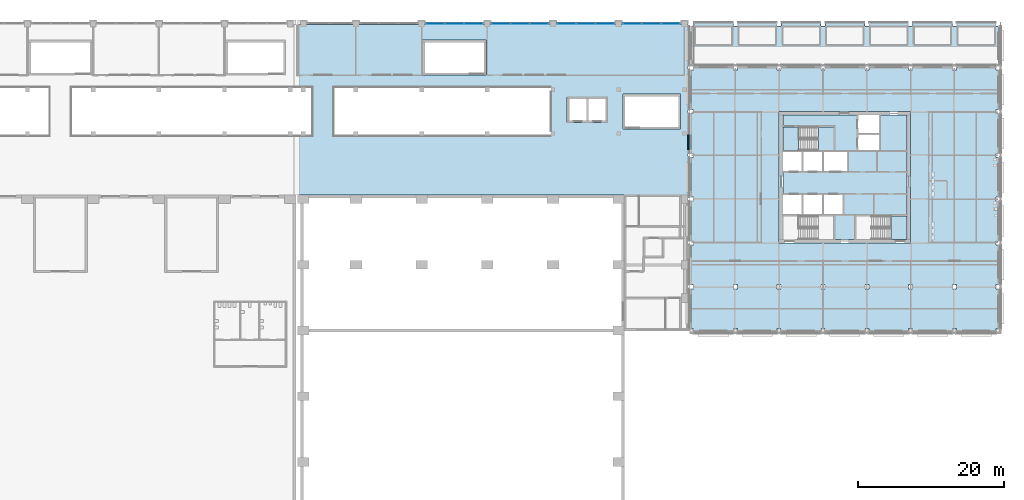
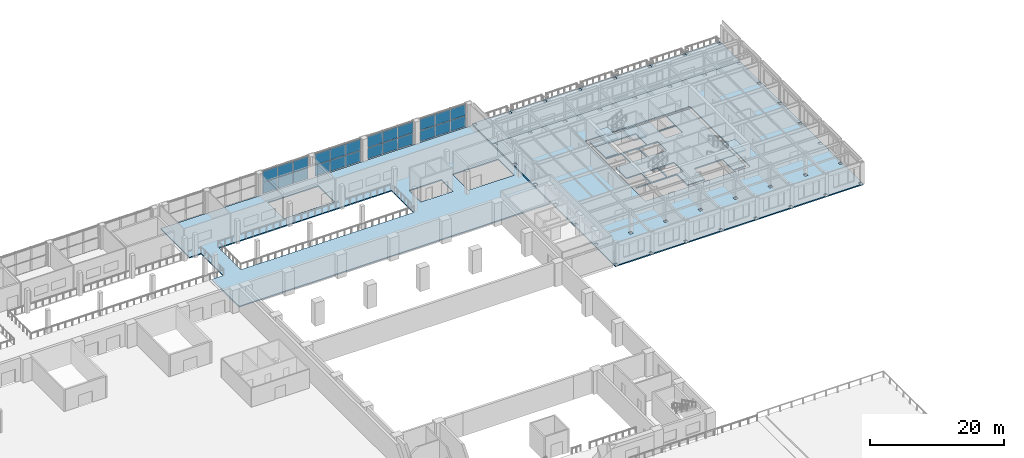
# One storey, part 13 of 39: 25 plates, 9 slabs, 6 elements without a shape of their own.
"""IFC4 building model written with IfcOpenShell, lengths in metres."""

from ifc_helpers import new_model, si_unit, direction, frame, origin, origin_2d, place, context, subcontext, project, spatial, polyline, rectangle, outline, extrude, material, layer, layer_set, type_object, element, aggregate, save


model = new_model("IFC4")

# Units and contexts
model_context = context("Model", 3, precision=1e-05, world=origin(), true_north=direction((0.0, 1.0)))
body_context = subcontext(model_context, "Body", "Model", "MODEL_VIEW")
ifc_project = project(units=[si_unit("LENGTHUNIT", "METRE"), si_unit("AREAUNIT", "SQUARE_METRE"), si_unit("VOLUMEUNIT", "CUBIC_METRE"), si_unit("PLANEANGLEUNIT", "RADIAN"), si_unit("MASSUNIT", "GRAM", prefix="KILO")], contexts=[model_context])

# Site, building, storey
site_placement = place(None, origin())
site = spatial("IfcSite", under=ifc_project, at=site_placement, CompositionType="ELEMENT")
building_placement = place(site_placement, origin())
building = spatial("IfcBuilding", under=site, at=building_placement, Name="Aravalli Gate Trade Fair Centre", CompositionType="ELEMENT")
storey_placement = place(building_placement, frame((0.0, 0.0, 15.0)))
storey = spatial("IfcBuildingStorey", under=building, at=storey_placement, Name="L03", CompositionType="ELEMENT", Elevation=15.0)

# Slab
ifc_material_1 = material(Name="Concrete M40", Category="concrete")
ifc_layer_1 = layer(ifc_material_1, 0.199951171875)
ifc_layer_set_1 = layer_set([ifc_layer_1], Name="Concrete M40")
slab_type_1 = type_object("IfcSlabType", Name="Concourse gallery slab 200", PredefinedType="FLOOR", material=ifc_layer_set_1)
slab_1_placement = place(storey_placement, frame((0.0, 0.0, -0.199951171875)))
element("IfcSlab", 1, at=slab_1_placement, inside=storey, type_object=slab_type_1, Name="Concourse gallery slab L03 3", PredefinedType="FLOOR", context=body_context, shape_type="SweptSolid", body=[
    extrude(outline(polyline([(159.5, 132.919921875), (106.0, 132.919921875), (106.0, 124.300048828125), (108.0, 124.300048828125), (108.0, 117.699951171875), (106.0, 117.699951171875), (106.0, 109.60009765625), (159.5, 109.60009765625), (159.5, 132.919921875)]), holes=[polyline([(140.699951171875, 117.699951171875), (111.0, 117.699951171875), (111.0, 124.300048828125), (140.699951171875, 124.300048828125), (140.699951171875, 117.699951171875)]), polyline([(150.60009765625, 118.60009765625), (150.60009765625, 123.39990234375), (158.5, 123.39990234375), (158.5, 118.60009765625), (150.60009765625, 118.60009765625)]), polyline([(142.949951171875, 119.5), (142.949951171875, 123.0), (148.5, 123.0), (148.5, 119.5), (142.949951171875, 119.5)]), polyline([(123.14990234375, 130.800048828125), (131.85009765625, 130.800048828125), (131.85009765625, 126.0), (123.14990234375, 126.0), (123.14990234375, 130.800048828125)])]), origin(), (0.0, 0.0, 1.0), 0.199951171875),
])

# Curtain wall, plates
ifc_material_2 = material(Name="Aluminium and glass", Category="aluminium")
curtain_wall_type = type_object("IfcCurtainWallType", Name="Curtain wall 3000 module, tall", PredefinedType="NOTDEFINED", material=ifc_material_2)
curtain_wall_1_placement = place(storey_placement, origin())
curtain_wall_1 = element("IfcCurtainWall", 2, at=curtain_wall_1_placement, inside=storey, type_object=curtain_wall_type, Name="Curtain wall north bay 15 L03", PredefinedType="NOTDEFINED")
ifc_material_3 = material(Name="Glass, double glazed", Category="glass")
ifc_layer_2 = layer(ifc_material_3, 0.028076171875)
ifc_layer_set_2 = layer_set([ifc_layer_2], Name="Glass, double glazed")
plate_type_1 = type_object("IfcPlateType", Name="Curtain wall panel, double glazed 28", PredefinedType="CURTAIN_PANEL", material=ifc_layer_set_2)
plate_1_placement = place(storey_placement, frame((124.881591796875, 133.044921875, 0.06005859375), z_axis=(0.0, 0.0, 1.0), x_axis=(1.0, 0.0, 0.0)))
plate_1 = element("IfcPlate", 3, at=plate_1_placement, type_object=plate_type_1, Name="CW3 panel 1.1", PredefinedType="CURTAIN_PANEL", context=body_context, shape_type="SweptSolid", body=[
    extrude(rectangle(XDim=2.543212890625, YDim=0.028076171875, at=origin_2d()), origin(), (0.0, 0.0, 1.0), 2.010009765625),
])
plate_2_placement = place(storey_placement, frame((124.881591796875, 133.044921875, 2.1298828125), z_axis=(0.0, 0.0, 1.0), x_axis=(1.0, 0.0, 0.0)))
plate_2 = element("IfcPlate", 4, at=plate_2_placement, type_object=plate_type_1, Name="CW3 panel 1.2", PredefinedType="CURTAIN_PANEL", context=body_context, shape_type="SweptSolid", body=[
    extrude(rectangle(XDim=2.543212890625, YDim=0.028076171875, at=origin_2d()), origin(), (0.0, 0.0, 1.0), 2.010009765625),
])
plate_3_placement = place(storey_placement, frame((127.5, 133.044921875, 0.06005859375), z_axis=(0.0, 0.0, 1.0), x_axis=(1.0, 0.0, 0.0)))
plate_3 = element("IfcPlate", 5, at=plate_3_placement, type_object=plate_type_1, Name="CW3 panel 2.1", PredefinedType="CURTAIN_PANEL", context=body_context, shape_type="SweptSolid", body=[
    extrude(rectangle(XDim=2.5732421875, YDim=0.028076171875, at=origin_2d()), origin(), (0.0, 0.0, 1.0), 2.010009765625),
])
plate_4_placement = place(storey_placement, frame((127.5, 133.044921875, 2.1298828125), z_axis=(0.0, 0.0, 1.0), x_axis=(1.0, 0.0, 0.0)))
plate_4 = element("IfcPlate", 6, at=plate_4_placement, type_object=plate_type_1, Name="CW3 panel 2.2", PredefinedType="CURTAIN_PANEL", context=body_context, shape_type="SweptSolid", body=[
    extrude(rectangle(XDim=2.5732421875, YDim=0.028076171875, at=origin_2d()), origin(), (0.0, 0.0, 1.0), 2.010009765625),
])
plate_5_placement = place(storey_placement, frame((130.118408203125, 133.044921875, 0.06005859375), z_axis=(0.0, 0.0, 1.0), x_axis=(1.0, 0.0, 0.0)))
plate_5 = element("IfcPlate", 7, at=plate_5_placement, type_object=plate_type_1, Name="CW3 panel 3.1", PredefinedType="CURTAIN_PANEL", context=body_context, shape_type="SweptSolid", body=[
    extrude(rectangle(XDim=2.543212890625, YDim=0.028076171875, at=origin_2d()), origin(), (0.0, 0.0, 1.0), 2.010009765625),
])
plate_6_placement = place(storey_placement, frame((130.118408203125, 133.044921875, 2.1298828125), z_axis=(0.0, 0.0, 1.0), x_axis=(1.0, 0.0, 0.0)))
plate_6 = element("IfcPlate", 8, at=plate_6_placement, type_object=plate_type_1, Name="CW3 panel 3.2", PredefinedType="CURTAIN_PANEL", context=body_context, shape_type="SweptSolid", body=[
    extrude(rectangle(XDim=2.543212890625, YDim=0.028076171875, at=origin_2d()), origin(), (0.0, 0.0, 1.0), 2.010009765625),
])
aggregate(curtain_wall_1, [plate_1, plate_2, plate_3, plate_4, plate_5, plate_6])

curtain_wall_2_placement = place(storey_placement, origin())
curtain_wall_2 = element("IfcCurtainWall", 9, at=curtain_wall_2_placement, inside=storey, type_object=curtain_wall_type, Name="Curtain wall north bay 16 L03", PredefinedType="NOTDEFINED")
plate_7_placement = place(storey_placement, frame((133.881591796875, 133.044921875, 0.06005859375), z_axis=(0.0, 0.0, 1.0), x_axis=(1.0, 0.0, 0.0)))
plate_7 = element("IfcPlate", 10, at=plate_7_placement, type_object=plate_type_1, Name="CW3 panel 1.1", PredefinedType="CURTAIN_PANEL", context=body_context, shape_type="SweptSolid", body=[
    extrude(rectangle(XDim=2.543212890625, YDim=0.028076171875, at=origin_2d()), origin(), (0.0, 0.0, 1.0), 2.010009765625),
])
plate_8_placement = place(storey_placement, frame((133.881591796875, 133.044921875, 2.1298828125), z_axis=(0.0, 0.0, 1.0), x_axis=(1.0, 0.0, 0.0)))
plate_8 = element("IfcPlate", 11, at=plate_8_placement, type_object=plate_type_1, Name="CW3 panel 1.2", PredefinedType="CURTAIN_PANEL", context=body_context, shape_type="SweptSolid", body=[
    extrude(rectangle(XDim=2.543212890625, YDim=0.028076171875, at=origin_2d()), origin(), (0.0, 0.0, 1.0), 2.010009765625),
])
plate_9_placement = place(storey_placement, frame((136.5, 133.044921875, 0.06005859375), z_axis=(0.0, 0.0, 1.0), x_axis=(1.0, 0.0, 0.0)))
plate_9 = element("IfcPlate", 12, at=plate_9_placement, type_object=plate_type_1, Name="CW3 panel 2.1", PredefinedType="CURTAIN_PANEL", context=body_context, shape_type="SweptSolid", body=[
    extrude(rectangle(XDim=2.5732421875, YDim=0.028076171875, at=origin_2d()), origin(), (0.0, 0.0, 1.0), 2.010009765625),
])
plate_10_placement = place(storey_placement, frame((136.5, 133.044921875, 2.1298828125), z_axis=(0.0, 0.0, 1.0), x_axis=(1.0, 0.0, 0.0)))
plate_10 = element("IfcPlate", 13, at=plate_10_placement, type_object=plate_type_1, Name="CW3 panel 2.2", PredefinedType="CURTAIN_PANEL", context=body_context, shape_type="SweptSolid", body=[
    extrude(rectangle(XDim=2.5732421875, YDim=0.028076171875, at=origin_2d()), origin(), (0.0, 0.0, 1.0), 2.010009765625),
])
plate_11_placement = place(storey_placement, frame((139.118408203125, 133.044921875, 0.06005859375), z_axis=(0.0, 0.0, 1.0), x_axis=(1.0, 0.0, 0.0)))
plate_11 = element("IfcPlate", 14, at=plate_11_placement, type_object=plate_type_1, Name="CW3 panel 3.1", PredefinedType="CURTAIN_PANEL", context=body_context, shape_type="SweptSolid", body=[
    extrude(rectangle(XDim=2.543212890625, YDim=0.028076171875, at=origin_2d()), origin(), (0.0, 0.0, 1.0), 2.010009765625),
])
plate_12_placement = place(storey_placement, frame((139.118408203125, 133.044921875, 2.1298828125), z_axis=(0.0, 0.0, 1.0), x_axis=(1.0, 0.0, 0.0)))
plate_12 = element("IfcPlate", 15, at=plate_12_placement, type_object=plate_type_1, Name="CW3 panel 3.2", PredefinedType="CURTAIN_PANEL", context=body_context, shape_type="SweptSolid", body=[
    extrude(rectangle(XDim=2.543212890625, YDim=0.028076171875, at=origin_2d()), origin(), (0.0, 0.0, 1.0), 2.010009765625),
])
aggregate(curtain_wall_2, [plate_7, plate_8, plate_9, plate_10, plate_11, plate_12])

curtain_wall_3_placement = place(storey_placement, origin())
curtain_wall_3 = element("IfcCurtainWall", 16, at=curtain_wall_3_placement, inside=storey, type_object=curtain_wall_type, Name="Curtain wall north bay 17 L03", PredefinedType="NOTDEFINED")
plate_13_placement = place(storey_placement, frame((142.881591796875, 133.044921875, 0.06005859375), z_axis=(0.0, 0.0, 1.0), x_axis=(1.0, 0.0, 0.0)))
plate_13 = element("IfcPlate", 17, at=plate_13_placement, type_object=plate_type_1, Name="CW3 panel 1.1", PredefinedType="CURTAIN_PANEL", context=body_context, shape_type="SweptSolid", body=[
    extrude(rectangle(XDim=2.543212890625, YDim=0.028076171875, at=origin_2d()), origin(), (0.0, 0.0, 1.0), 2.010009765625),
])
plate_14_placement = place(storey_placement, frame((142.881591796875, 133.044921875, 2.1298828125), z_axis=(0.0, 0.0, 1.0), x_axis=(1.0, 0.0, 0.0)))
plate_14 = element("IfcPlate", 18, at=plate_14_placement, type_object=plate_type_1, Name="CW3 panel 1.2", PredefinedType="CURTAIN_PANEL", context=body_context, shape_type="SweptSolid", body=[
    extrude(rectangle(XDim=2.543212890625, YDim=0.028076171875, at=origin_2d()), origin(), (0.0, 0.0, 1.0), 2.010009765625),
])
plate_15_placement = place(storey_placement, frame((145.5, 133.044921875, 0.06005859375), z_axis=(0.0, 0.0, 1.0), x_axis=(1.0, 0.0, 0.0)))
plate_15 = element("IfcPlate", 19, at=plate_15_placement, type_object=plate_type_1, Name="CW3 panel 2.1", PredefinedType="CURTAIN_PANEL", context=body_context, shape_type="SweptSolid", body=[
    extrude(rectangle(XDim=2.5732421875, YDim=0.028076171875, at=origin_2d()), origin(), (0.0, 0.0, 1.0), 2.010009765625),
])
plate_16_placement = place(storey_placement, frame((145.5, 133.044921875, 2.1298828125), z_axis=(0.0, 0.0, 1.0), x_axis=(1.0, 0.0, 0.0)))
plate_16 = element("IfcPlate", 20, at=plate_16_placement, type_object=plate_type_1, Name="CW3 panel 2.2", PredefinedType="CURTAIN_PANEL", context=body_context, shape_type="SweptSolid", body=[
    extrude(rectangle(XDim=2.5732421875, YDim=0.028076171875, at=origin_2d()), origin(), (0.0, 0.0, 1.0), 2.010009765625),
])
plate_17_placement = place(storey_placement, frame((148.118408203125, 133.044921875, 0.06005859375), z_axis=(0.0, 0.0, 1.0), x_axis=(1.0, 0.0, 0.0)))
plate_17 = element("IfcPlate", 21, at=plate_17_placement, type_object=plate_type_1, Name="CW3 panel 3.1", PredefinedType="CURTAIN_PANEL", context=body_context, shape_type="SweptSolid", body=[
    extrude(rectangle(XDim=2.543212890625, YDim=0.028076171875, at=origin_2d()), origin(), (0.0, 0.0, 1.0), 2.010009765625),
])
plate_18_placement = place(storey_placement, frame((148.118408203125, 133.044921875, 2.1298828125), z_axis=(0.0, 0.0, 1.0), x_axis=(1.0, 0.0, 0.0)))
plate_18 = element("IfcPlate", 22, at=plate_18_placement, type_object=plate_type_1, Name="CW3 panel 3.2", PredefinedType="CURTAIN_PANEL", context=body_context, shape_type="SweptSolid", body=[
    extrude(rectangle(XDim=2.543212890625, YDim=0.028076171875, at=origin_2d()), origin(), (0.0, 0.0, 1.0), 2.010009765625),
])
aggregate(curtain_wall_3, [plate_13, plate_14, plate_15, plate_16, plate_17, plate_18])

curtain_wall_4_placement = place(storey_placement, origin())
curtain_wall_4 = element("IfcCurtainWall", 23, at=curtain_wall_4_placement, inside=storey, type_object=curtain_wall_type, Name="Curtain wall north bay 18 L03", PredefinedType="NOTDEFINED")
plate_19_placement = place(storey_placement, frame((151.881591796875, 133.044921875, 0.06005859375), z_axis=(0.0, 0.0, 1.0), x_axis=(1.0, 0.0, 0.0)))
plate_19 = element("IfcPlate", 24, at=plate_19_placement, type_object=plate_type_1, Name="CW3 panel 1.1", PredefinedType="CURTAIN_PANEL", context=body_context, shape_type="SweptSolid", body=[
    extrude(rectangle(XDim=2.543212890625, YDim=0.028076171875, at=origin_2d()), origin(), (0.0, 0.0, 1.0), 2.010009765625),
])
plate_20_placement = place(storey_placement, frame((151.881591796875, 133.044921875, 2.1298828125), z_axis=(0.0, 0.0, 1.0), x_axis=(1.0, 0.0, 0.0)))
plate_20 = element("IfcPlate", 25, at=plate_20_placement, type_object=plate_type_1, Name="CW3 panel 1.2", PredefinedType="CURTAIN_PANEL", context=body_context, shape_type="SweptSolid", body=[
    extrude(rectangle(XDim=2.543212890625, YDim=0.028076171875, at=origin_2d()), origin(), (0.0, 0.0, 1.0), 2.010009765625),
])
plate_21_placement = place(storey_placement, frame((154.5, 133.044921875, 0.06005859375), z_axis=(0.0, 0.0, 1.0), x_axis=(1.0, 0.0, 0.0)))
plate_21 = element("IfcPlate", 26, at=plate_21_placement, type_object=plate_type_1, Name="CW3 panel 2.1", PredefinedType="CURTAIN_PANEL", context=body_context, shape_type="SweptSolid", body=[
    extrude(rectangle(XDim=2.5732421875, YDim=0.028076171875, at=origin_2d()), origin(), (0.0, 0.0, 1.0), 2.010009765625),
])
plate_22_placement = place(storey_placement, frame((154.5, 133.044921875, 2.1298828125), z_axis=(0.0, 0.0, 1.0), x_axis=(1.0, 0.0, 0.0)))
plate_22 = element("IfcPlate", 27, at=plate_22_placement, type_object=plate_type_1, Name="CW3 panel 2.2", PredefinedType="CURTAIN_PANEL", context=body_context, shape_type="SweptSolid", body=[
    extrude(rectangle(XDim=2.5732421875, YDim=0.028076171875, at=origin_2d()), origin(), (0.0, 0.0, 1.0), 2.010009765625),
])
plate_23_placement = place(storey_placement, frame((157.118408203125, 133.044921875, 0.06005859375), z_axis=(0.0, 0.0, 1.0), x_axis=(1.0, 0.0, 0.0)))
plate_23 = element("IfcPlate", 28, at=plate_23_placement, type_object=plate_type_1, Name="CW3 panel 3.1", PredefinedType="CURTAIN_PANEL", context=body_context, shape_type="SweptSolid", body=[
    extrude(rectangle(XDim=2.543212890625, YDim=0.028076171875, at=origin_2d()), origin(), (0.0, 0.0, 1.0), 2.010009765625),
])
plate_24_placement = place(storey_placement, frame((157.118408203125, 133.044921875, 2.1298828125), z_axis=(0.0, 0.0, 1.0), x_axis=(1.0, 0.0, 0.0)))
plate_24 = element("IfcPlate", 29, at=plate_24_placement, type_object=plate_type_1, Name="CW3 panel 3.2", PredefinedType="CURTAIN_PANEL", context=body_context, shape_type="SweptSolid", body=[
    extrude(rectangle(XDim=2.543212890625, YDim=0.028076171875, at=origin_2d()), origin(), (0.0, 0.0, 1.0), 2.010009765625),
])
aggregate(curtain_wall_4, [plate_19, plate_20, plate_21, plate_22, plate_23, plate_24])

# Slab
ifc_material_4 = material(Name="Concrete M50", Category="concrete")
ifc_layer_3 = layer(ifc_material_4, 0.199951171875)
ifc_layer_set_3 = layer_set([ifc_layer_3], Name="Concrete M50")
slab_type_2 = type_object("IfcSlabType", Name="Wing core floor slab 200", PredefinedType="FLOOR", material=ifc_layer_set_3)
slab_2_placement = place(storey_placement, frame((0.0, 0.0, -0.199951171875)))
element("IfcSlab", 30, at=slab_2_placement, inside=storey, type_object=slab_type_2, Name="Core floor slab L03", PredefinedType="FLOOR", context=body_context, shape_type="SweptSolid", body=[
    extrude(outline(polyline([(189.5, 120.5), (189.5, 106.699951171875), (182.5, 106.699951171875), (182.5, 103.5), (179.5, 103.5), (179.5, 106.699951171875), (172.5, 106.699951171875), (172.5, 106.89990234375), (175.10009765625, 106.89990234375), (175.10009765625, 109.60009765625), (172.5, 109.60009765625), (172.5, 112.800048828125), (175.10009765625, 112.800048828125), (175.10009765625, 115.5), (172.5, 115.5), (172.5, 115.699951171875), (179.5, 115.699951171875), (179.5, 118.89990234375), (172.5, 118.89990234375), (172.5, 120.5), (182.800048828125, 120.5), (182.800048828125, 118.0), (185.699951171875, 118.0), (185.699951171875, 120.5), (189.5, 120.5)]), holes=[polyline([(175.300048828125, 109.60009765625), (175.300048828125, 106.89990234375), (177.89990234375, 106.89990234375), (177.89990234375, 109.60009765625), (175.300048828125, 109.60009765625)]), polyline([(177.89990234375, 115.5), (175.300048828125, 115.5), (175.300048828125, 112.800048828125), (177.89990234375, 112.800048828125), (177.89990234375, 115.5)]), polyline([(180.699951171875, 109.60009765625), (178.10009765625, 109.60009765625), (178.10009765625, 106.89990234375), (180.699951171875, 106.89990234375), (180.699951171875, 109.60009765625)]), polyline([(178.10009765625, 115.5), (178.10009765625, 112.800048828125), (181.300048828125, 112.800048828125), (181.300048828125, 115.5), (178.10009765625, 115.5)]), polyline([(185.699951171875, 117.800048828125), (182.800048828125, 117.800048828125), (182.800048828125, 115.699951171875), (185.699951171875, 115.699951171875), (185.699951171875, 117.800048828125)])]), origin(), (0.0, 0.0, 1.0), 0.199951171875),
])

# Stair, slabs
ifc_material_5 = material(Name="Concrete M30", Category="concrete")
stair_type = type_object("IfcStairType", Name="Wing core stair", PredefinedType="HALF_TURN_STAIR", material=ifc_material_5)
stair_1_placement = place(storey_placement, origin())
stair_1 = element("IfcStair", 31, at=stair_1_placement, inside=storey, type_object=stair_type, Name="Stair S1 L03", PredefinedType="HALF_TURN_STAIR")
ifc_layer_4 = layer(ifc_material_5, 0.199951171875)
ifc_layer_set_4 = layer_set([ifc_layer_4], Name="Concrete M30")
slab_type_3 = type_object("IfcSlabType", Name="Wing core stair landing 200", PredefinedType="LANDING", material=ifc_layer_set_4)
slab_3_placement = place(storey_placement, frame((0.0, 0.0, -0.199951171875)))
slab_3 = element("IfcSlab", 32, at=slab_3_placement, type_object=slab_type_3, Name="TST1 landing 1", PredefinedType="LANDING", context=body_context, shape_type="SweptSolid", body=[
    extrude(outline(polyline([(187.35009765625, 103.5), (189.5, 103.5), (189.5, 106.699951171875), (187.35009765625, 106.699951171875), (187.35009765625, 103.5)])), origin(), (0.0, 0.0, 1.0), 0.199951171875),
])
slab_4_placement = place(storey_placement, frame((0.0, 0.0, 2.696533203125)))
slab_4 = element("IfcSlab", 33, at=slab_4_placement, type_object=slab_type_3, Name="TST1 landing 3", PredefinedType="LANDING", context=body_context, shape_type="SweptSolid", body=[
    extrude(outline(polyline([(187.35009765625, 103.5), (189.5, 103.5), (189.5, 106.699951171875), (187.35009765625, 106.699951171875), (187.35009765625, 103.5)])), origin(), (0.0, 0.0, 1.0), 0.199951171875),
])
aggregate(stair_1, [slab_3, slab_4])

stair_2_placement = place(storey_placement, origin())
stair_2 = element("IfcStair", 34, at=stair_2_placement, inside=storey, type_object=stair_type, Name="Stair FFS L03", PredefinedType="HALF_TURN_STAIR")
slab_5_placement = place(storey_placement, frame((0.0, 0.0, -0.199951171875)))
slab_5 = element("IfcSlab", 35, at=slab_5_placement, type_object=slab_type_3, Name="TST1 landing 1", PredefinedType="LANDING", context=body_context, shape_type="SweptSolid", body=[
    extrude(outline(polyline([(172.5, 115.699951171875), (174.64990234375, 115.699951171875), (174.64990234375, 118.89990234375), (172.5, 118.89990234375), (172.5, 115.699951171875)])), origin(), (0.0, 0.0, 1.0), 0.199951171875),
])
slab_6_placement = place(storey_placement, frame((0.0, 0.0, 1.248291015625)))
slab_6 = element("IfcSlab", 36, at=slab_6_placement, type_object=slab_type_3, Name="TST1 landing 2", PredefinedType="LANDING", context=body_context, shape_type="SweptSolid", body=[
    extrude(outline(polyline([(177.35009765625, 115.699951171875), (179.5, 115.699951171875), (179.5, 118.89990234375), (177.35009765625, 118.89990234375), (177.35009765625, 115.699951171875)])), origin(), (0.0, 0.0, 1.0), 0.199951171875),
])
slab_7_placement = place(storey_placement, frame((0.0, 0.0, 2.696533203125)))
slab_7 = element("IfcSlab", 37, at=slab_7_placement, type_object=slab_type_3, Name="TST1 landing 3", PredefinedType="LANDING", context=body_context, shape_type="SweptSolid", body=[
    extrude(outline(polyline([(172.5, 115.699951171875), (174.64990234375, 115.699951171875), (174.64990234375, 118.89990234375), (172.5, 118.89990234375), (172.5, 115.699951171875)])), origin(), (0.0, 0.0, 1.0), 0.199951171875),
])
aggregate(stair_2, [slab_5, slab_6, slab_7])

# Slab
ifc_layer_5 = layer(ifc_material_4, 0.199951171875)
ifc_layer_set_5 = layer_set([ifc_layer_5], Name="Concrete M50")
slab_type_4 = type_object("IfcSlabType", Name="Wing floor slab 200", PredefinedType="FLOOR", material=ifc_layer_set_5)
slab_8_placement = place(storey_placement, frame((0.0, 0.0, -0.199951171875)))
element("IfcSlab", 38, at=slab_8_placement, inside=storey, type_object=slab_type_4, Name="Wing floor slab L03", PredefinedType="FLOOR", context=body_context, shape_type="SweptSolid", body=[
    extrude(outline(polyline([(159.695068359375, 127.304931640625), (202.304931640625, 127.304931640625), (202.304931640625, 90.695068359375), (159.695068359375, 90.695068359375), (159.695068359375, 127.304931640625)]), holes=[polyline([(178.27490234375, 91.27490234375), (177.72509765625, 91.27490234375), (177.72509765625, 90.72509765625), (178.27490234375, 90.72509765625), (178.27490234375, 91.27490234375)]), polyline([(172.27490234375, 91.27490234375), (171.72509765625, 91.27490234375), (171.72509765625, 90.72509765625), (172.27490234375, 90.72509765625), (172.27490234375, 91.27490234375)]), polyline([(166.27490234375, 91.27490234375), (165.72509765625, 91.27490234375), (165.72509765625, 90.72509765625), (166.27490234375, 90.72509765625), (166.27490234375, 91.27490234375)]), polyline([(160.27490234375, 90.72509765625), (160.27490234375, 91.27490234375), (159.72509765625, 91.27490234375), (159.72509765625, 90.72509765625), (160.27490234375, 90.72509765625)]), polyline([(166.27490234375, 96.72509765625), (166.27490234375, 97.27490234375), (165.72509765625, 97.27490234375), (165.72509765625, 96.72509765625), (166.27490234375, 96.72509765625)]), polyline([(178.27490234375, 97.27490234375), (177.72509765625, 97.27490234375), (177.72509765625, 96.72509765625), (178.27490234375, 96.72509765625), (178.27490234375, 97.27490234375)]), polyline([(172.27490234375, 97.27490234375), (171.72509765625, 97.27490234375), (171.72509765625, 96.72509765625), (172.27490234375, 96.72509765625), (172.27490234375, 97.27490234375)]), polyline([(160.27490234375, 97.27490234375), (159.72509765625, 97.27490234375), (159.72509765625, 96.72509765625), (160.27490234375, 96.72509765625), (160.27490234375, 97.27490234375)]), polyline([(160.27490234375, 102.72509765625), (160.27490234375, 103.27490234375), (159.72509765625, 103.27490234375), (159.72509765625, 102.72509765625), (160.27490234375, 102.72509765625)]), polyline([(160.27490234375, 108.72509765625), (160.27490234375, 109.27490234375), (159.72509765625, 109.27490234375), (159.72509765625, 108.72509765625), (160.27490234375, 108.72509765625)]), polyline([(160.27490234375, 115.27490234375), (159.72509765625, 115.27490234375), (159.72509765625, 114.72509765625), (160.27490234375, 114.72509765625), (160.27490234375, 115.27490234375)]), polyline([(160.27490234375, 121.27490234375), (159.72509765625, 121.27490234375), (159.72509765625, 120.72509765625), (160.27490234375, 120.72509765625), (160.27490234375, 121.27490234375)]), polyline([(160.27490234375, 127.27490234375), (159.72509765625, 127.27490234375), (159.72509765625, 126.72509765625), (160.27490234375, 126.72509765625), (160.27490234375, 127.27490234375)]), polyline([(166.27490234375, 126.72509765625), (166.27490234375, 127.27490234375), (165.72509765625, 127.27490234375), (165.72509765625, 126.72509765625), (166.27490234375, 126.72509765625)]), polyline([(172.27490234375, 126.72509765625), (172.27490234375, 127.27490234375), (171.72509765625, 127.27490234375), (171.72509765625, 126.72509765625), (172.27490234375, 126.72509765625)]), polyline([(178.27490234375, 127.27490234375), (177.72509765625, 127.27490234375), (177.72509765625, 126.72509765625), (178.27490234375, 126.72509765625), (178.27490234375, 127.27490234375)]), polyline([(202.27490234375, 91.27490234375), (201.72509765625, 91.27490234375), (201.72509765625, 90.72509765625), (202.27490234375, 90.72509765625), (202.27490234375, 91.27490234375)]), polyline([(196.27490234375, 91.27490234375), (195.72509765625, 91.27490234375), (195.72509765625, 90.72509765625), (196.27490234375, 90.72509765625), (196.27490234375, 91.27490234375)]), polyline([(184.27490234375, 91.27490234375), (183.72509765625, 91.27490234375), (183.72509765625, 90.72509765625), (184.27490234375, 90.72509765625), (184.27490234375, 91.27490234375)]), polyline([(190.27490234375, 90.72509765625), (190.27490234375, 91.27490234375), (189.72509765625, 91.27490234375), (189.72509765625, 90.72509765625), (190.27490234375, 90.72509765625)]), polyline([(196.27490234375, 96.72509765625), (196.27490234375, 97.27490234375), (195.72509765625, 97.27490234375), (195.72509765625, 96.72509765625), (196.27490234375, 96.72509765625)]), polyline([(190.27490234375, 97.27490234375), (189.72509765625, 97.27490234375), (189.72509765625, 96.72509765625), (190.27490234375, 96.72509765625), (190.27490234375, 97.27490234375)]), polyline([(202.27490234375, 97.27490234375), (201.72509765625, 97.27490234375), (201.72509765625, 96.72509765625), (202.27490234375, 96.72509765625), (202.27490234375, 97.27490234375)]), polyline([(184.27490234375, 97.27490234375), (183.72509765625, 97.27490234375), (183.72509765625, 96.72509765625), (184.27490234375, 96.72509765625), (184.27490234375, 97.27490234375)]), polyline([(202.27490234375, 102.72509765625), (202.27490234375, 103.27490234375), (201.72509765625, 103.27490234375), (201.72509765625, 102.72509765625), (202.27490234375, 102.72509765625)]), polyline([(202.27490234375, 108.72509765625), (202.27490234375, 109.27490234375), (201.72509765625, 109.27490234375), (201.72509765625, 108.72509765625), (202.27490234375, 108.72509765625)]), polyline([(202.27490234375, 115.27490234375), (201.72509765625, 115.27490234375), (201.72509765625, 114.72509765625), (202.27490234375, 114.72509765625), (202.27490234375, 115.27490234375)]), polyline([(202.27490234375, 121.27490234375), (201.72509765625, 121.27490234375), (201.72509765625, 120.72509765625), (202.27490234375, 120.72509765625), (202.27490234375, 121.27490234375)]), polyline([(190.27490234375, 127.27490234375), (189.72509765625, 127.27490234375), (189.72509765625, 126.72509765625), (190.27490234375, 126.72509765625), (190.27490234375, 127.27490234375)]), polyline([(196.27490234375, 126.72509765625), (196.27490234375, 127.27490234375), (195.72509765625, 127.27490234375), (195.72509765625, 126.72509765625), (196.27490234375, 126.72509765625)]), polyline([(184.27490234375, 126.72509765625), (184.27490234375, 127.27490234375), (183.72509765625, 127.27490234375), (183.72509765625, 126.72509765625), (184.27490234375, 126.72509765625)]), polyline([(202.27490234375, 127.27490234375), (201.72509765625, 127.27490234375), (201.72509765625, 126.72509765625), (202.27490234375, 126.72509765625), (202.27490234375, 127.27490234375)]), polyline([(190.0, 121.0), (172.0, 121.0), (172.0, 103.0), (190.0, 103.0), (190.0, 121.0)])]), origin(), (0.0, 0.0, 1.0), 0.199951171875),
])

# Plate
ifc_material_6 = material(Name="Steel E350", Category="steel")
ifc_layer_6 = layer(ifc_material_6, 0.199951171875)
ifc_layer_set_6 = layer_set([ifc_layer_6], Name="Steel E350")
plate_type_2 = type_object("IfcPlateType", Name="Wing joint cover plate 300", PredefinedType="SHEET", material=ifc_layer_set_6)
plate_25_placement = place(storey_placement, frame((0.0, 0.0, -0.199951171875)))
element("IfcPlate", 39, at=plate_25_placement, inside=storey, type_object=plate_type_2, Name="Joint cover plate T-L03-182", PredefinedType="SHEET", context=body_context, shape_type="SweptSolid", body=[
    extrude(outline(polyline([(159.5, 115.800048828125), (159.695068359375, 115.800048828125), (159.695068359375, 117.800048828125), (159.5, 117.800048828125), (159.5, 115.800048828125)])), origin(), (0.0, 0.0, 1.0), 0.199951171875),
])

# Slab
ifc_layer_7 = layer(ifc_material_4, 0.199951171875)
ifc_layer_set_7 = layer_set([ifc_layer_7], Name="Concrete M50")
slab_type_5 = type_object("IfcSlabType", Name="Wing terrace slab 200", PredefinedType="ROOF", material=ifc_layer_set_7)
slab_9_placement = place(storey_placement, frame((0.0, 0.0, -0.199951171875)))
element("IfcSlab", 40, at=slab_9_placement, inside=storey, type_object=slab_type_5, Name="Wing terrace slab L03", PredefinedType="ROOF", context=body_context, shape_type="SweptSolid", body=[
    extrude(outline(polyline([(202.304931640625, 133.304931640625), (202.304931640625, 127.304931640625), (159.695068359375, 127.304931640625), (159.695068359375, 133.304931640625), (202.304931640625, 133.304931640625)]), holes=[polyline([(160.27490234375, 132.72509765625), (160.27490234375, 133.27490234375), (159.72509765625, 133.27490234375), (159.72509765625, 132.72509765625), (160.27490234375, 132.72509765625)]), polyline([(166.27490234375, 132.72509765625), (166.27490234375, 133.27490234375), (165.72509765625, 133.27490234375), (165.72509765625, 132.72509765625), (166.27490234375, 132.72509765625)]), polyline([(171.72509765625, 132.72509765625), (172.27490234375, 132.72509765625), (172.27490234375, 133.27490234375), (171.72509765625, 133.27490234375), (171.72509765625, 132.72509765625)]), polyline([(177.72509765625, 132.72509765625), (178.27490234375, 132.72509765625), (178.27490234375, 133.27490234375), (177.72509765625, 133.27490234375), (177.72509765625, 132.72509765625)]), polyline([(196.27490234375, 132.72509765625), (196.27490234375, 133.27490234375), (195.72509765625, 133.27490234375), (195.72509765625, 132.72509765625), (196.27490234375, 132.72509765625)]), polyline([(202.27490234375, 132.72509765625), (202.27490234375, 133.27490234375), (201.72509765625, 133.27490234375), (201.72509765625, 132.72509765625), (202.27490234375, 132.72509765625)]), polyline([(189.72509765625, 132.72509765625), (190.27490234375, 132.72509765625), (190.27490234375, 133.27490234375), (189.72509765625, 133.27490234375), (189.72509765625, 132.72509765625)]), polyline([(183.72509765625, 132.72509765625), (184.27490234375, 132.72509765625), (184.27490234375, 133.27490234375), (183.72509765625, 133.27490234375), (183.72509765625, 132.72509765625)])]), origin(), (0.0, 0.0, 1.0), 0.199951171875),
])

save(model, "model.ifc")
